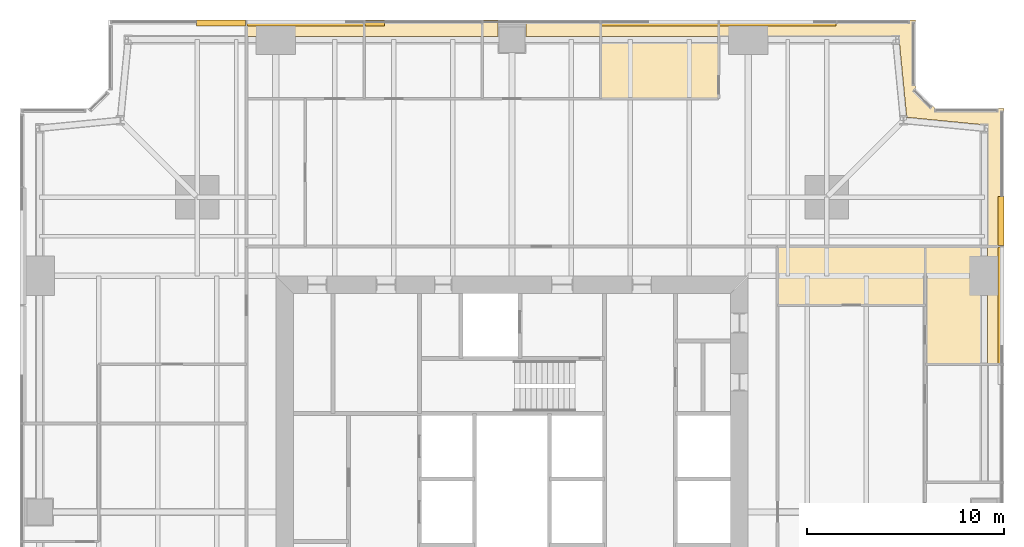
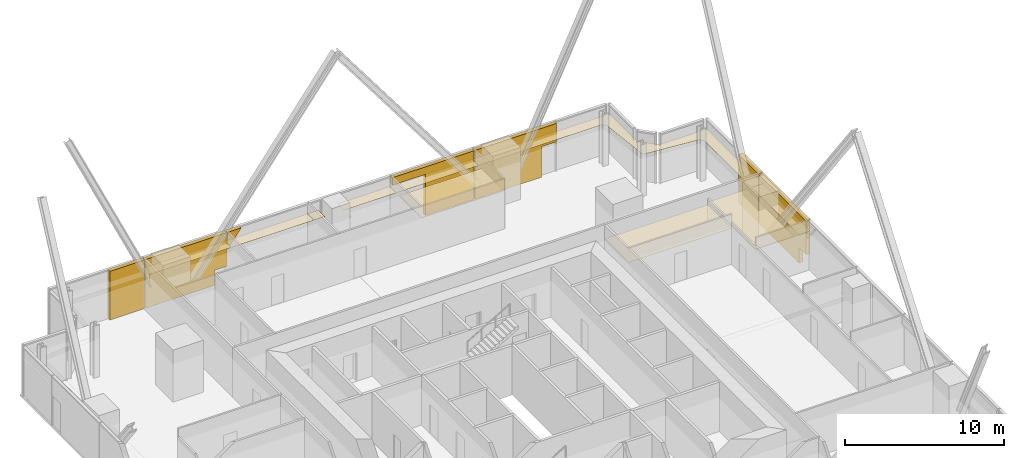
# One storey, part 14 of 14: 17 coverings.
"""IFC4 building model written with IfcOpenShell, lengths in metres."""

from ifc_helpers import new_model, si_unit, direction, frame, origin, place, context, subcontext, project, spatial, polyline, outline, extrude, material, layer, layer_set, type_object, element, save


model = new_model("IFC4")

# Units and contexts
model_context = context("Model", 3, precision=1e-05, world=origin(), true_north=direction((0.0, 1.0)))
body_context = subcontext(model_context, "Body", "Model", "MODEL_VIEW")
ifc_project = project(units=[si_unit("LENGTHUNIT", "METRE"), si_unit("AREAUNIT", "SQUARE_METRE"), si_unit("VOLUMEUNIT", "CUBIC_METRE"), si_unit("PLANEANGLEUNIT", "RADIAN"), si_unit("MASSUNIT", "GRAM", prefix="KILO")], contexts=[model_context])

# Site, building, storey
site_placement = place(None, origin())
site = spatial("IfcSite", under=ifc_project, at=site_placement, CompositionType="ELEMENT")
building_placement = place(site_placement, origin())
building = spatial("IfcBuilding", under=site, at=building_placement, Name="Fenwick Lantern Interchange", CompositionType="ELEMENT")
storey_placement = place(building_placement, frame((0.0, 0.0, 130.39990234375)))
storey = spatial("IfcBuildingStorey", under=building, at=storey_placement, Name="L30", CompositionType="ELEMENT", Elevation=130.39990234375)

# Coverings
ifc_material_1 = material(Name="Mineral fibre acoustic tile on suspended grid")
ifc_layer_1 = layer(ifc_material_1, 0.02001953125)
ifc_layer_set_1 = layer_set([ifc_layer_1], Name="ACOUSTIC TILE CEILING 20")
covering_type_1 = type_object("IfcCoveringType", Name="ACOUSTIC TILE CEILING 20", PredefinedType="CEILING", material=ifc_layer_set_1)
covering_1_placement = place(storey_placement, frame((0.0, 0.0, 2.900146484375)))
element("IfcCovering", 1, at=covering_1_placement, inside=storey, type_object=covering_type_1, Name="Office ceiling", PredefinedType="CEILING", context=body_context, shape_type="SweptSolid", body=[
    extrude(outline(polyline([(46.0, 32.5), (48.82763671875, 32.5), (48.82763671875, 37.0), (48.82763671875, 38.5), (46.0, 38.5), (46.0, 32.5)])), origin(), (0.0, 0.0, 1.0), 0.02001953125),
])
covering_2_placement = place(storey_placement, frame((0.0, 0.0, 2.900146484375)))
element("IfcCovering", 2, at=covering_2_placement, inside=storey, type_object=covering_type_1, Name="Office ceiling", PredefinedType="CEILING", context=body_context, shape_type="SweptSolid", body=[
    extrude(outline(polyline([(50.0, 38.5), (49.17236328125, 38.5), (49.17236328125, 37.0), (49.17236328125, 32.5), (50.0, 32.5), (50.0, 38.5)])), origin(), (0.0, 0.0, 1.0), 0.02001953125),
])
covering_3_placement = place(storey_placement, frame((0.0, 0.0, 2.900146484375)))
element("IfcCovering", 3, at=covering_3_placement, inside=storey, type_object=covering_type_1, Name="Office suite ceiling", PredefinedType="CEILING", context=body_context, shape_type="SweptSolid", body=[
    extrude(outline(polyline([(50.0, 38.5), (50.0, 45.5), (46.5, 45.5), (45.5, 46.5), (45.5, 50.0), (35.5, 50.0), (35.5, 49.17236328125), (37.0, 49.17236328125), (44.5, 49.17236328125), (44.5, 49.0), (44.671630859375, 49.016845703125), (45.057861328125, 45.057861328125), (49.016845703125, 44.671630859375), (49.0, 44.5), (49.17236328125, 44.5), (49.17236328125, 38.5), (50.0, 38.5)])), origin(), (0.0, 0.0, 1.0), 0.02001953125),
])
covering_4_placement = place(storey_placement, frame((0.0, 0.0, 2.900146484375)))
element("IfcCovering", 4, at=covering_4_placement, inside=storey, type_object=covering_type_1, Name="Office ceiling", PredefinedType="CEILING", context=body_context, shape_type="SweptSolid", body=[
    extrude(outline(polyline([(35.5, 46.0), (35.5, 48.82763671875), (29.5, 48.82763671875), (29.5, 46.0), (35.5, 46.0)])), origin(), (0.0, 0.0, 1.0), 0.02001953125),
])
covering_5_placement = place(storey_placement, frame((0.0, 0.0, 2.900146484375)))
element("IfcCovering", 5, at=covering_5_placement, inside=storey, type_object=covering_type_1, Name="Office ceiling", PredefinedType="CEILING", context=body_context, shape_type="SweptSolid", body=[
    extrude(outline(polyline([(29.5, 50.0), (29.5, 49.17236328125), (35.5, 49.17236328125), (35.5, 50.0), (29.5, 50.0)])), origin(), (0.0, 0.0, 1.0), 0.02001953125),
])
covering_6_placement = place(storey_placement, frame((0.0, 0.0, 2.900146484375)))
element("IfcCovering", 6, at=covering_6_placement, inside=storey, type_object=covering_type_1, Name="Office ceiling", PredefinedType="CEILING", context=body_context, shape_type="SweptSolid", body=[
    extrude(outline(polyline([(29.5, 49.17236328125), (29.5, 50.0), (25.699951171875, 50.0), (25.699951171875, 49.17236328125), (29.5, 49.17236328125)])), origin(), (0.0, 0.0, 1.0), 0.02001953125),
])
covering_7_placement = place(storey_placement, frame((0.0, 0.0, 2.900146484375)))
element("IfcCovering", 7, at=covering_7_placement, inside=storey, type_object=covering_type_1, Name="Office ceiling", PredefinedType="CEILING", context=body_context, shape_type="SweptSolid", body=[
    extrude(outline(polyline([(23.5, 50.0), (23.5, 49.17236328125), (24.300048828125, 49.17236328125), (24.300048828125, 50.0), (23.5, 50.0)])), origin(), (0.0, 0.0, 1.0), 0.02001953125),
])
covering_8_placement = place(storey_placement, frame((0.0, 0.0, 2.900146484375)))
element("IfcCovering", 8, at=covering_8_placement, inside=storey, type_object=covering_type_1, Name="Office ceiling", PredefinedType="CEILING", context=body_context, shape_type="SweptSolid", body=[
    extrude(outline(polyline([(17.5, 50.0), (17.5, 49.17236328125), (23.5, 49.17236328125), (23.5, 50.0), (17.5, 50.0)])), origin(), (0.0, 0.0, 1.0), 0.02001953125),
])
covering_9_placement = place(storey_placement, frame((0.0, 0.0, 2.900146484375)))
element("IfcCovering", 9, at=covering_9_placement, inside=storey, type_object=covering_type_1, Name="Meeting room ceiling", PredefinedType="CEILING", context=body_context, shape_type="SweptSolid", body=[
    extrude(outline(polyline([(11.5, 50.0), (11.5, 49.17236328125), (13.0, 49.17236328125), (17.5, 49.17236328125), (17.5, 50.0), (11.5, 50.0)])), origin(), (0.0, 0.0, 1.0), 0.02001953125),
])
ifc_material_2 = material(Name="Granite cladding, warm grey flamed finish, on aluminium carrier frame", Category="masonry")
ifc_layer_2 = layer(ifc_material_2, 0.300048828125)
ifc_layer_set_2 = layer_set([ifc_layer_2], Name="BRACE CASING PANEL 300")
covering_type_2 = type_object("IfcCoveringType", Name="BRACE CASING PANEL 300", PredefinedType="CLADDING", material=ifc_layer_set_2)
covering_10_placement = place(storey_placement, frame((49.89990234375, 4.60009765625, 0.0), z_axis=(0.0, 0.0, 1.0), x_axis=(0.0, 1.0, 0.0)))
element("IfcCovering", 10, at=covering_10_placement, inside=storey, type_object=covering_type_2, Name="Brace casing 05 bay 05a", PredefinedType="CLADDING", context=body_context, shape_type="SweptSolid", body=[
    extrude(outline(polyline([(28.8125, 0.0), (33.867431640625, 0.0), (33.867431640625, 3.75), (27.9326171875, 3.75), (27.9326171875, 1.177490234375), (28.8125, 1.177490234375), (28.8125, 0.0)])), frame((0.0, 0.2001953125, 0.0), z_axis=(0.0, -1.0, 0.0), x_axis=(1.0, 0.0, 0.0)), (0.0, 0.0, 1.0), 0.300048828125),
])
covering_11_placement = place(storey_placement, frame((49.89990234375, 4.60009765625, 0.0), z_axis=(0.0, 0.0, 1.0), x_axis=(0.0, 1.0, 0.0)))
element("IfcCovering", 11, at=covering_11_placement, inside=storey, type_object=covering_type_2, Name="Brace casing 05 bay 06a", PredefinedType="CLADDING", context=body_context, shape_type="SweptSolid", body=[
    extrude(outline(polyline([(33.9326171875, 0.0), (36.431884765625, 0.0), (36.431884765625, 3.75), (33.9326171875, 3.75), (33.9326171875, 0.0)])), frame((0.0, 0.2001953125, 0.0), z_axis=(0.0, -1.0, 0.0), x_axis=(1.0, 0.0, 0.0)), (0.0, 0.0, 1.0), 0.300048828125),
])
covering_12_placement = place(storey_placement, frame((45.39990234375, 49.89990234375, 0.0), z_axis=(0.0, 0.0, 1.0), x_axis=(-1.0, 0.0, 0.0)))
element("IfcCovering", 12, at=covering_12_placement, inside=storey, type_object=covering_type_2, Name="Brace casing 09 bay 01a", PredefinedType="CLADDING", context=body_context, shape_type="SweptSolid", body=[
    extrude(outline(polyline([(5.032470703125, 0.0), (9.867431640625, 0.0), (9.867431640625, 3.75), (3.9326171875, 3.75), (3.9326171875, 2.337158203125), (5.032470703125, 2.337158203125), (5.032470703125, 0.0)])), frame((0.0, 0.2001953125, 0.0), z_axis=(0.0, -1.0, 0.0), x_axis=(1.0, 0.0, 0.0)), (0.0, 0.0, 1.0), 0.300048828125),
])
covering_13_placement = place(storey_placement, frame((45.39990234375, 49.89990234375, 0.0), z_axis=(0.0, 0.0, 1.0), x_axis=(-1.0, 0.0, 0.0)))
element("IfcCovering", 13, at=covering_13_placement, inside=storey, type_object=covering_type_2, Name="Brace casing 09 bay 02a", PredefinedType="CLADDING", context=body_context, shape_type="SweptSolid", body=[
    extrude(outline(polyline([(9.9326171875, 0.0), (13.484375, 0.0), (13.484375, 3.17333984375), (15.867431640625, 3.17333984375), (15.867431640625, 3.75), (9.9326171875, 3.75), (9.9326171875, 0.0)])), frame((0.0, 0.2001953125, 0.0), z_axis=(0.0, -1.0, 0.0), x_axis=(1.0, 0.0, 0.0)), (0.0, 0.0, 1.0), 0.300048828125),
])
covering_14_placement = place(storey_placement, frame((45.39990234375, 49.89990234375, 2.4375), z_axis=(0.0, 0.0, 1.0), x_axis=(-1.0, 0.0, 0.0)))
element("IfcCovering", 14, at=covering_14_placement, inside=storey, type_object=covering_type_2, Name="Brace casing 09 bay 04a", PredefinedType="CLADDING", context=body_context, shape_type="SweptSolid", body=[
    extrude(outline(polyline([(27.867431640625, 0.0), (27.867431640625, 1.3125), (26.883056640625, 1.3125), (27.867431640625, 0.0)])), frame((0.0, 0.2001953125, 0.0), z_axis=(0.0, -1.0, 0.0), x_axis=(1.0, 0.0, 0.0)), (0.0, 0.0, 1.0), 0.300048828125),
])
covering_15_placement = place(storey_placement, frame((45.39990234375, 49.89990234375, 0.0), z_axis=(0.0, 0.0, 1.0), x_axis=(-1.0, 0.0, 0.0)))
element("IfcCovering", 15, at=covering_15_placement, inside=storey, type_object=covering_type_2, Name="Brace casing 09 bay 05a", PredefinedType="CLADDING", context=body_context, shape_type="SweptSolid", body=[
    extrude(outline(polyline([(28.8125, 0.0), (33.867431640625, 0.0), (33.867431640625, 3.75), (27.9326171875, 3.75), (27.9326171875, 1.177490234375), (28.8125, 1.177490234375), (28.8125, 0.0)])), frame((0.0, 0.2001953125, 0.0), z_axis=(0.0, -1.0, 0.0), x_axis=(1.0, 0.0, 0.0)), (0.0, 0.0, 1.0), 0.300048828125),
])
covering_16_placement = place(storey_placement, frame((45.39990234375, 49.89990234375, 0.0), z_axis=(0.0, 0.0, 1.0), x_axis=(-1.0, 0.0, 0.0)))
element("IfcCovering", 16, at=covering_16_placement, inside=storey, type_object=covering_type_2, Name="Brace casing 09 bay 06a", PredefinedType="CLADDING", context=body_context, shape_type="SweptSolid", body=[
    extrude(outline(polyline([(33.9326171875, 0.0), (36.431884765625, 0.0), (36.431884765625, 3.75), (33.9326171875, 3.75), (33.9326171875, 0.0)])), frame((0.0, 0.2001953125, 0.0), z_axis=(0.0, -1.0, 0.0), x_axis=(1.0, 0.0, 0.0)), (0.0, 0.0, 1.0), 0.300048828125),
])
ifc_material_3 = material(Name="Moisture resistant gypsum board on suspended frame, painted")
ifc_layer_3 = layer(ifc_material_3, 0.014892578125)
ifc_layer_set_3 = layer_set([ifc_layer_3], Name="MOISTURE RESISTANT CEILING 15")
covering_type_3 = type_object("IfcCoveringType", Name="MOISTURE RESISTANT CEILING 15", PredefinedType="CEILING", material=ifc_layer_set_3)
covering_17_placement = place(storey_placement, frame((0.0, 0.0, 2.7001953125)))
element("IfcCovering", 17, at=covering_17_placement, inside=storey, type_object=covering_type_3, Name="Pantry ceiling", PredefinedType="CEILING", context=body_context, shape_type="SweptSolid", body=[
    extrude(outline(polyline([(46.0, 35.5), (46.0, 38.5), (38.5, 38.5), (38.5, 35.5), (46.0, 35.5)])), origin(), (0.0, 0.0, 1.0), 0.014892578125),
])

save(model, "model.ifc")
